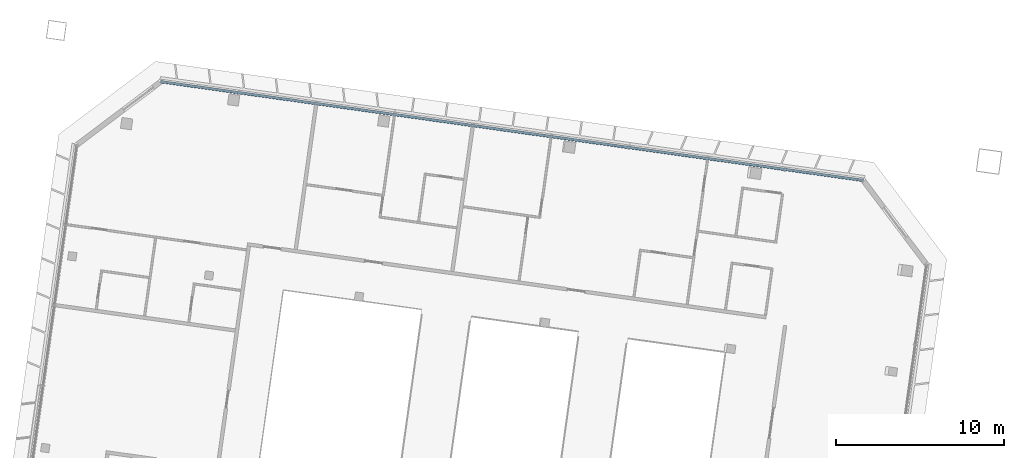
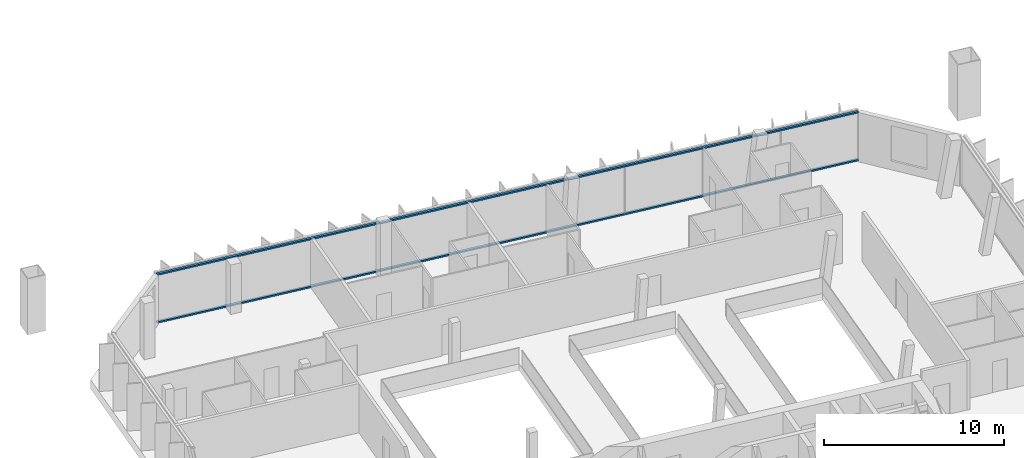
# One storey, part 5 of 20: 2 members, 1 element without a shape of its own.
"""IFC4 building model written with IfcOpenShell, lengths in metres."""

from ifc_helpers import new_model, si_unit, direction, frame, origin, origin_2d, place, context, subcontext, project, spatial, rectangle, extrude, material, material_profile, profile_set, type_object, element, aggregate, save


model = new_model("IFC4")

# Units and contexts
model_context = context("Model", 3, precision=1e-05, world=origin(), true_north=direction((0.0, 1.0)))
body_context = subcontext(model_context, "Body", "Model", "MODEL_VIEW")
ifc_project = project(units=[si_unit("LENGTHUNIT", "METRE"), si_unit("AREAUNIT", "SQUARE_METRE"), si_unit("VOLUMEUNIT", "CUBIC_METRE"), si_unit("PLANEANGLEUNIT", "RADIAN"), si_unit("MASSUNIT", "GRAM", prefix="KILO")], contexts=[model_context])

# Site, building, storey
site_placement = place(None, origin())
site = spatial("IfcSite", under=ifc_project, at=site_placement, CompositionType="ELEMENT")
building_placement = place(site_placement, origin())
building = spatial("IfcBuilding", under=site, at=building_placement, Name="Mirante Cascada Hotel Towers", CompositionType="ELEMENT")
storey_placement = place(building_placement, frame((0.0, 0.0, 224.2)))
storey = spatial("IfcBuildingStorey", under=building, at=storey_placement, Name="L53", CompositionType="ELEMENT", Elevation=224.2)

# Curtain wall, members
ifc_material_1 = material(Name="Aluminium mullion and transom frame with clear laminated glass", Category="aluminium")
curtain_wall_type = type_object("IfcCurtainWallType", Name="Ribbon curtain wall ECW1", PredefinedType="NOTDEFINED", material=ifc_material_1)
curtain_wall_placement = place(storey_placement, origin())
curtain_wall = element("IfcCurtainWall", 1, at=curtain_wall_placement, inside=storey, type_object=curtain_wall_type, Name="Front ribbon wall T1 L53", PredefinedType="NOTDEFINED")
ifc_material_2 = material(Name="Anodised aluminium extrusion", Category="aluminium")
ifc_material_profile = material_profile(ifc_material_2, rectangle(XDim=0.16, YDim=0.1, at=origin_2d()), Name="ECW1 TRANSOM 100x160")
ifc_profile_set = profile_set([ifc_material_profile], Name="Anodised aluminium extrusion")
member_type = type_object("IfcMemberType", Name="ECW1 transom 100x160", PredefinedType="USERDEFINED", material=ifc_profile_set)
member_1_placement = place(storey_placement, frame((-67.4209, 22.2944, 0.05), z_axis=(0.9902681, -0.1391726, 0.0), x_axis=(0.1391726, 0.9902681, 0.0)))
member_1 = element("IfcMember", 2, at=member_1_placement, type_object=member_type, Name="ECW1 sill transom", ObjectType="TRANSOM", PredefinedType="USERDEFINED", context=body_context, shape_type="SweptSolid", body=[
    extrude(rectangle(XDim=0.16, YDim=0.1, at=origin_2d()), origin(), (0.0, 0.0, 1.0), 42.1297),
])
member_2_placement = place(storey_placement, frame((-67.4209, 22.2944, 3.3), z_axis=(0.9902681, -0.1391726, 0.0), x_axis=(0.1391726, 0.9902681, 0.0)))
member_2 = element("IfcMember", 3, at=member_2_placement, type_object=member_type, Name="ECW1 head transom", ObjectType="TRANSOM", PredefinedType="USERDEFINED", context=body_context, shape_type="SweptSolid", body=[
    extrude(rectangle(XDim=0.16, YDim=0.1, at=origin_2d()), origin(), (0.0, 0.0, 1.0), 42.1297),
])
aggregate(curtain_wall, [member_1, member_2])

save(model, "model.ifc")
